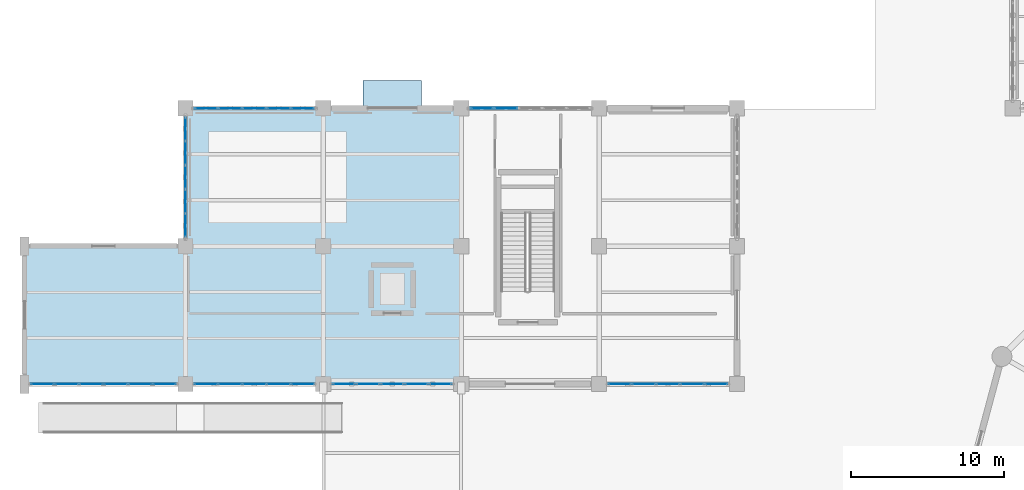
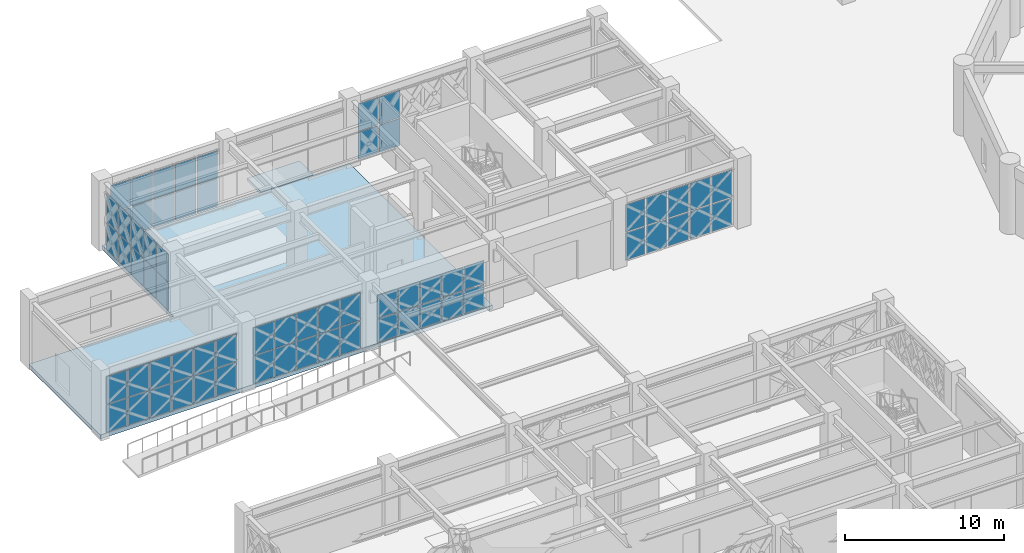
# One storey, part 106 of 140: 66 plates, 2 slabs, 7 elements without a shape of their own.
"""IFC4 building model written with IfcOpenShell, lengths in metres."""

from ifc_helpers import new_model, si_unit, direction, frame, origin, origin_2d, place, context, subcontext, project, spatial, polyline, rectangle, outline, extrude, material, layer, layer_set, type_object, element, aggregate, save


model = new_model("IFC4")

# Units and contexts
model_context = context("Model", 3, precision=1e-05, world=origin(), true_north=direction((0.0, 1.0)))
body_context = subcontext(model_context, "Body", "Model", "MODEL_VIEW")
ifc_project = project(units=[si_unit("LENGTHUNIT", "METRE"), si_unit("AREAUNIT", "SQUARE_METRE"), si_unit("VOLUMEUNIT", "CUBIC_METRE"), si_unit("PLANEANGLEUNIT", "RADIAN"), si_unit("MASSUNIT", "GRAM", prefix="KILO")], contexts=[model_context])

# Site, building, storey
site_placement = place(None, origin())
site = spatial("IfcSite", under=ifc_project, at=site_placement, CompositionType="ELEMENT")
building_placement = place(site_placement, origin())
building = spatial("IfcBuilding", under=site, at=building_placement, Name="Haizhuo Lancet Aquarium", CompositionType="ELEMENT")
storey_placement = place(building_placement, origin())
storey = spatial("IfcBuildingStorey", under=building, at=storey_placement, Name="L00", CompositionType="ELEMENT", Elevation=0.0)

# Curtain wall, plates
ifc_material_1 = material(Name="Aluminium 6063-T6", Category="aluminium")
curtain_wall_type_1 = type_object("IfcCurtainWallType", Name="CWD-7910x4420", PredefinedType="NOTDEFINED", material=ifc_material_1)
curtain_wall_1_placement = place(storey_placement, origin())
curtain_wall_1 = element("IfcCurtainWall", 1, at=curtain_wall_1_placement, inside=storey, type_object=curtain_wall_type_1, Name="L00 curtain wall CW-V2-L00-013", PredefinedType="NOTDEFINED")
ifc_material_2 = material(Name="Laminated Low-E Glass", Category="glass")
ifc_layer_1 = layer(ifc_material_2, 0.028076171875)
ifc_layer_set_1 = layer_set([ifc_layer_1], Name="Laminated Low-E Glass")
plate_type_1 = type_object("IfcPlateType", Name="CW-PNL-1", PredefinedType="CURTAIN_PANEL", material=ifc_layer_set_1)
plate_1_placement = place(storey_placement, frame((-72.0, 19.35205078125, 0.06494140625), z_axis=(0.0, 0.0, 1.0), x_axis=(0.0, 1.0, 0.0)))
plate_1 = element("IfcPlate", 2, at=plate_1_placement, type_object=plate_type_1, Name="CWD-79x44 panel 1.1", PredefinedType="CURTAIN_PANEL", context=body_context, shape_type="SweptSolid", body=[
    extrude(rectangle(XDim=1.48388671875, YDim=0.028076171875, at=origin_2d()), origin(), (0.0, 0.0, 1.0), 2.112060546875),
])
plate_2_placement = place(storey_placement, frame((-72.0, 19.35205078125, 2.24267578125), z_axis=(0.0, 0.0, 1.0), x_axis=(0.0, 1.0, 0.0)))
plate_2 = element("IfcPlate", 3, at=plate_2_placement, type_object=plate_type_1, Name="CWD-79x44 panel 1.2", PredefinedType="CURTAIN_PANEL", context=body_context, shape_type="SweptSolid", body=[
    extrude(rectangle(XDim=1.48388671875, YDim=0.028076171875, at=origin_2d()), origin(), (0.0, 0.0, 1.0), 2.113037109375),
])
plate_3_placement = place(storey_placement, frame((-72.0, 20.91796875, 0.06494140625), z_axis=(0.0, 0.0, 1.0), x_axis=(0.0, 1.0, 0.0)))
plate_3 = element("IfcPlate", 4, at=plate_3_placement, type_object=plate_type_1, Name="CWD-79x44 panel 2.1", PredefinedType="CURTAIN_PANEL", context=body_context, shape_type="SweptSolid", body=[
    extrude(rectangle(XDim=1.51708984375, YDim=0.028076171875, at=origin_2d()), origin(), (0.0, 0.0, 1.0), 2.112060546875),
])
plate_4_placement = place(storey_placement, frame((-72.0, 20.91796875, 2.24267578125), z_axis=(0.0, 0.0, 1.0), x_axis=(0.0, 1.0, 0.0)))
plate_4 = element("IfcPlate", 5, at=plate_4_placement, type_object=plate_type_1, Name="CWD-79x44 panel 2.2", PredefinedType="CURTAIN_PANEL", context=body_context, shape_type="SweptSolid", body=[
    extrude(rectangle(XDim=1.51708984375, YDim=0.028076171875, at=origin_2d()), origin(), (0.0, 0.0, 1.0), 2.113037109375),
])
plate_5_placement = place(storey_placement, frame((-72.0, 22.5, 0.06494140625), z_axis=(0.0, 0.0, 1.0), x_axis=(0.0, 1.0, 0.0)))
plate_5 = element("IfcPlate", 6, at=plate_5_placement, type_object=plate_type_1, Name="CWD-79x44 panel 3.1", PredefinedType="CURTAIN_PANEL", context=body_context, shape_type="SweptSolid", body=[
    extrude(rectangle(XDim=1.51708984375, YDim=0.028076171875, at=origin_2d()), origin(), (0.0, 0.0, 1.0), 2.112060546875),
])
plate_6_placement = place(storey_placement, frame((-72.0, 22.5, 2.24267578125), z_axis=(0.0, 0.0, 1.0), x_axis=(0.0, 1.0, 0.0)))
plate_6 = element("IfcPlate", 7, at=plate_6_placement, type_object=plate_type_1, Name="CWD-79x44 panel 3.2", PredefinedType="CURTAIN_PANEL", context=body_context, shape_type="SweptSolid", body=[
    extrude(rectangle(XDim=1.51708984375, YDim=0.028076171875, at=origin_2d()), origin(), (0.0, 0.0, 1.0), 2.113037109375),
])
plate_7_placement = place(storey_placement, frame((-72.0, 24.08203125, 0.06494140625), z_axis=(0.0, 0.0, 1.0), x_axis=(0.0, 1.0, 0.0)))
plate_7 = element("IfcPlate", 8, at=plate_7_placement, type_object=plate_type_1, Name="CWD-79x44 panel 4.1", PredefinedType="CURTAIN_PANEL", context=body_context, shape_type="SweptSolid", body=[
    extrude(rectangle(XDim=1.51708984375, YDim=0.028076171875, at=origin_2d()), origin(), (0.0, 0.0, 1.0), 2.112060546875),
])
plate_8_placement = place(storey_placement, frame((-72.0, 24.08203125, 2.24267578125), z_axis=(0.0, 0.0, 1.0), x_axis=(0.0, 1.0, 0.0)))
plate_8 = element("IfcPlate", 9, at=plate_8_placement, type_object=plate_type_1, Name="CWD-79x44 panel 4.2", PredefinedType="CURTAIN_PANEL", context=body_context, shape_type="SweptSolid", body=[
    extrude(rectangle(XDim=1.51708984375, YDim=0.028076171875, at=origin_2d()), origin(), (0.0, 0.0, 1.0), 2.113037109375),
])
plate_9_placement = place(storey_placement, frame((-72.0, 25.64794921875, 0.06494140625), z_axis=(0.0, 0.0, 1.0), x_axis=(0.0, 1.0, 0.0)))
plate_9 = element("IfcPlate", 10, at=plate_9_placement, type_object=plate_type_1, Name="CWD-79x44 panel 5.1", PredefinedType="CURTAIN_PANEL", context=body_context, shape_type="SweptSolid", body=[
    extrude(rectangle(XDim=1.48388671875, YDim=0.028076171875, at=origin_2d()), origin(), (0.0, 0.0, 1.0), 2.112060546875),
])
plate_10_placement = place(storey_placement, frame((-72.0, 25.64794921875, 2.24267578125), z_axis=(0.0, 0.0, 1.0), x_axis=(0.0, 1.0, 0.0)))
plate_10 = element("IfcPlate", 11, at=plate_10_placement, type_object=plate_type_1, Name="CWD-79x44 panel 5.2", PredefinedType="CURTAIN_PANEL", context=body_context, shape_type="SweptSolid", body=[
    extrude(rectangle(XDim=1.48388671875, YDim=0.028076171875, at=origin_2d()), origin(), (0.0, 0.0, 1.0), 2.113037109375),
])
aggregate(curtain_wall_1, [plate_1, plate_2, plate_3, plate_4, plate_5, plate_6, plate_7, plate_8, plate_9, plate_10])

curtain_wall_type_2 = type_object("IfcCurtainWallType", Name="CWO-7910x4420", PredefinedType="NOTDEFINED", material=ifc_material_1)
curtain_wall_2_placement = place(storey_placement, origin())
curtain_wall_2 = element("IfcCurtainWall", 12, at=curtain_wall_2_placement, inside=storey, type_object=curtain_wall_type_2, Name="L00 curtain wall CW-V2-L00-017", PredefinedType="NOTDEFINED")
plate_11_placement = place(storey_placement, frame((-37.35498046875, 9.0, 0.07568359375), z_axis=(0.0, 0.0, 1.0), x_axis=(-1.0, 0.0, 0.0)))
plate_11 = element("IfcPlate", 13, at=plate_11_placement, type_object=plate_type_1, Name="CWO-79x44 panel 1.1", PredefinedType="CURTAIN_PANEL", context=body_context, shape_type="SweptSolid", body=[
    extrude(rectangle(XDim=1.468994140625, YDim=0.028076171875, at=origin_2d()), origin(), (0.0, 0.0, 1.0), 2.096923828125),
])
plate_12_placement = place(storey_placement, frame((-37.35498046875, 9.0, 2.2470703125), z_axis=(0.0, 0.0, 1.0), x_axis=(-1.0, 0.0, 0.0)))
plate_12 = element("IfcPlate", 14, at=plate_12_placement, type_object=plate_type_1, Name="CWO-79x44 panel 1.2", PredefinedType="CURTAIN_PANEL", context=body_context, shape_type="SweptSolid", body=[
    extrude(rectangle(XDim=1.468994140625, YDim=0.028076171875, at=origin_2d()), origin(), (0.0, 0.0, 1.0), 2.097900390625),
])
plate_13_placement = place(storey_placement, frame((-38.91796875, 9.0, 0.07568359375), z_axis=(0.0, 0.0, 1.0), x_axis=(-1.0, 0.0, 0.0)))
plate_13 = element("IfcPlate", 15, at=plate_13_placement, type_object=plate_type_1, Name="CWO-79x44 panel 2.1", PredefinedType="CURTAIN_PANEL", context=body_context, shape_type="SweptSolid", body=[
    extrude(rectangle(XDim=1.507080078125, YDim=0.028076171875, at=origin_2d()), origin(), (0.0, 0.0, 1.0), 2.096923828125),
])
plate_14_placement = place(storey_placement, frame((-38.91796875, 9.0, 2.2470703125), z_axis=(0.0, 0.0, 1.0), x_axis=(-1.0, 0.0, 0.0)))
plate_14 = element("IfcPlate", 16, at=plate_14_placement, type_object=plate_type_1, Name="CWO-79x44 panel 2.2", PredefinedType="CURTAIN_PANEL", context=body_context, shape_type="SweptSolid", body=[
    extrude(rectangle(XDim=1.507080078125, YDim=0.028076171875, at=origin_2d()), origin(), (0.0, 0.0, 1.0), 2.097900390625),
])
plate_15_placement = place(storey_placement, frame((-40.5, 9.0, 0.07568359375), z_axis=(0.0, 0.0, 1.0), x_axis=(-1.0, 0.0, 0.0)))
plate_15 = element("IfcPlate", 17, at=plate_15_placement, type_object=plate_type_1, Name="CWO-79x44 panel 3.1", PredefinedType="CURTAIN_PANEL", context=body_context, shape_type="SweptSolid", body=[
    extrude(rectangle(XDim=1.507080078125, YDim=0.028076171875, at=origin_2d()), origin(), (0.0, 0.0, 1.0), 2.096923828125),
])
plate_16_placement = place(storey_placement, frame((-40.5, 9.0, 2.2470703125), z_axis=(0.0, 0.0, 1.0), x_axis=(-1.0, 0.0, 0.0)))
plate_16 = element("IfcPlate", 18, at=plate_16_placement, type_object=plate_type_1, Name="CWO-79x44 panel 3.2", PredefinedType="CURTAIN_PANEL", context=body_context, shape_type="SweptSolid", body=[
    extrude(rectangle(XDim=1.507080078125, YDim=0.028076171875, at=origin_2d()), origin(), (0.0, 0.0, 1.0), 2.097900390625),
])
plate_17_placement = place(storey_placement, frame((-42.08203125, 9.0, 0.07568359375), z_axis=(0.0, 0.0, 1.0), x_axis=(-1.0, 0.0, 0.0)))
plate_17 = element("IfcPlate", 19, at=plate_17_placement, type_object=plate_type_1, Name="CWO-79x44 panel 4.1", PredefinedType="CURTAIN_PANEL", context=body_context, shape_type="SweptSolid", body=[
    extrude(rectangle(XDim=1.507080078125, YDim=0.028076171875, at=origin_2d()), origin(), (0.0, 0.0, 1.0), 2.096923828125),
])
plate_18_placement = place(storey_placement, frame((-42.08203125, 9.0, 2.2470703125), z_axis=(0.0, 0.0, 1.0), x_axis=(-1.0, 0.0, 0.0)))
plate_18 = element("IfcPlate", 20, at=plate_18_placement, type_object=plate_type_1, Name="CWO-79x44 panel 4.2", PredefinedType="CURTAIN_PANEL", context=body_context, shape_type="SweptSolid", body=[
    extrude(rectangle(XDim=1.507080078125, YDim=0.028076171875, at=origin_2d()), origin(), (0.0, 0.0, 1.0), 2.097900390625),
])
plate_19_placement = place(storey_placement, frame((-43.64501953125, 9.0, 0.07568359375), z_axis=(0.0, 0.0, 1.0), x_axis=(-1.0, 0.0, 0.0)))
plate_19 = element("IfcPlate", 21, at=plate_19_placement, type_object=plate_type_1, Name="CWO-79x44 panel 5.1", PredefinedType="CURTAIN_PANEL", context=body_context, shape_type="SweptSolid", body=[
    extrude(rectangle(XDim=1.469970703125, YDim=0.028076171875, at=origin_2d()), origin(), (0.0, 0.0, 1.0), 2.096923828125),
])
plate_20_placement = place(storey_placement, frame((-43.64501953125, 9.0, 2.2470703125), z_axis=(0.0, 0.0, 1.0), x_axis=(-1.0, 0.0, 0.0)))
plate_20 = element("IfcPlate", 22, at=plate_20_placement, type_object=plate_type_1, Name="CWO-79x44 panel 5.2", PredefinedType="CURTAIN_PANEL", context=body_context, shape_type="SweptSolid", body=[
    extrude(rectangle(XDim=1.469970703125, YDim=0.028076171875, at=origin_2d()), origin(), (0.0, 0.0, 1.0), 2.097900390625),
])
aggregate(curtain_wall_2, [plate_11, plate_12, plate_13, plate_14, plate_15, plate_16, plate_17, plate_18, plate_19, plate_20])

curtain_wall_3_placement = place(storey_placement, origin())
curtain_wall_3 = element("IfcCurtainWall", 23, at=curtain_wall_3_placement, inside=storey, type_object=curtain_wall_type_1, Name="L00 curtain wall CW-V2-L00-014", PredefinedType="NOTDEFINED")
ifc_layer_2 = layer(ifc_material_2, 0.033935546875)
ifc_layer_set_2 = layer_set([ifc_layer_2], Name="Laminated Low-E Glass")
plate_type_2 = type_object("IfcPlateType", Name="CW-PNL-2", PredefinedType="CURTAIN_PANEL", material=ifc_layer_set_2)
plate_21_placement = place(storey_placement, frame((-70.64501953125, 27.0, 0.07568359375), z_axis=(0.0, 0.0, 1.0), x_axis=(1.0, 0.0, 0.0)))
plate_21 = element("IfcPlate", 24, at=plate_21_placement, type_object=plate_type_2, Name="CWD-79x44 panel 1.1", PredefinedType="CURTAIN_PANEL", context=body_context, shape_type="SweptSolid", body=[
    extrude(rectangle(XDim=1.468994140625, YDim=0.033935546875, at=origin_2d()), origin(), (0.0, 0.0, 1.0), 2.096923828125),
])
plate_22_placement = place(storey_placement, frame((-70.64501953125, 27.0, 2.2470703125), z_axis=(0.0, 0.0, 1.0), x_axis=(1.0, 0.0, 0.0)))
plate_22 = element("IfcPlate", 25, at=plate_22_placement, type_object=plate_type_2, Name="CWD-79x44 panel 1.2", PredefinedType="CURTAIN_PANEL", context=body_context, shape_type="SweptSolid", body=[
    extrude(rectangle(XDim=1.468994140625, YDim=0.033935546875, at=origin_2d()), origin(), (0.0, 0.0, 1.0), 2.097900390625),
])
plate_23_placement = place(storey_placement, frame((-69.08203125, 27.0, 0.07568359375), z_axis=(0.0, 0.0, 1.0), x_axis=(1.0, 0.0, 0.0)))
plate_23 = element("IfcPlate", 26, at=plate_23_placement, type_object=plate_type_2, Name="CWD-79x44 panel 2.1", PredefinedType="CURTAIN_PANEL", context=body_context, shape_type="SweptSolid", body=[
    extrude(rectangle(XDim=1.507080078125, YDim=0.033935546875, at=origin_2d()), origin(), (0.0, 0.0, 1.0), 2.096923828125),
])
plate_24_placement = place(storey_placement, frame((-69.08203125, 27.0, 2.2470703125), z_axis=(0.0, 0.0, 1.0), x_axis=(1.0, 0.0, 0.0)))
plate_24 = element("IfcPlate", 27, at=plate_24_placement, type_object=plate_type_2, Name="CWD-79x44 panel 2.2", PredefinedType="CURTAIN_PANEL", context=body_context, shape_type="SweptSolid", body=[
    extrude(rectangle(XDim=1.507080078125, YDim=0.033935546875, at=origin_2d()), origin(), (0.0, 0.0, 1.0), 2.097900390625),
])
plate_25_placement = place(storey_placement, frame((-67.5, 27.0, 0.07568359375), z_axis=(0.0, 0.0, 1.0), x_axis=(1.0, 0.0, 0.0)))
plate_25 = element("IfcPlate", 28, at=plate_25_placement, type_object=plate_type_2, Name="CWD-79x44 panel 3.1", PredefinedType="CURTAIN_PANEL", context=body_context, shape_type="SweptSolid", body=[
    extrude(rectangle(XDim=1.507080078125, YDim=0.033935546875, at=origin_2d()), origin(), (0.0, 0.0, 1.0), 2.096923828125),
])
plate_26_placement = place(storey_placement, frame((-67.5, 27.0, 2.2470703125), z_axis=(0.0, 0.0, 1.0), x_axis=(1.0, 0.0, 0.0)))
plate_26 = element("IfcPlate", 29, at=plate_26_placement, type_object=plate_type_2, Name="CWD-79x44 panel 3.2", PredefinedType="CURTAIN_PANEL", context=body_context, shape_type="SweptSolid", body=[
    extrude(rectangle(XDim=1.507080078125, YDim=0.033935546875, at=origin_2d()), origin(), (0.0, 0.0, 1.0), 2.097900390625),
])
plate_27_placement = place(storey_placement, frame((-65.91796875, 27.0, 0.07568359375), z_axis=(0.0, 0.0, 1.0), x_axis=(1.0, 0.0, 0.0)))
plate_27 = element("IfcPlate", 30, at=plate_27_placement, type_object=plate_type_2, Name="CWD-79x44 panel 4.1", PredefinedType="CURTAIN_PANEL", context=body_context, shape_type="SweptSolid", body=[
    extrude(rectangle(XDim=1.507080078125, YDim=0.033935546875, at=origin_2d()), origin(), (0.0, 0.0, 1.0), 2.096923828125),
])
plate_28_placement = place(storey_placement, frame((-65.91796875, 27.0, 2.2470703125), z_axis=(0.0, 0.0, 1.0), x_axis=(1.0, 0.0, 0.0)))
plate_28 = element("IfcPlate", 31, at=plate_28_placement, type_object=plate_type_2, Name="CWD-79x44 panel 4.2", PredefinedType="CURTAIN_PANEL", context=body_context, shape_type="SweptSolid", body=[
    extrude(rectangle(XDim=1.507080078125, YDim=0.033935546875, at=origin_2d()), origin(), (0.0, 0.0, 1.0), 2.097900390625),
])
plate_29_placement = place(storey_placement, frame((-64.35498046875, 27.0, 0.07568359375), z_axis=(0.0, 0.0, 1.0), x_axis=(1.0, 0.0, 0.0)))
plate_29 = element("IfcPlate", 32, at=plate_29_placement, type_object=plate_type_2, Name="CWD-79x44 panel 5.1", PredefinedType="CURTAIN_PANEL", context=body_context, shape_type="SweptSolid", body=[
    extrude(rectangle(XDim=1.469970703125, YDim=0.033935546875, at=origin_2d()), origin(), (0.0, 0.0, 1.0), 2.096923828125),
])
plate_30_placement = place(storey_placement, frame((-64.35498046875, 27.0, 2.2470703125), z_axis=(0.0, 0.0, 1.0), x_axis=(1.0, 0.0, 0.0)))
plate_30 = element("IfcPlate", 33, at=plate_30_placement, type_object=plate_type_2, Name="CWD-79x44 panel 5.2", PredefinedType="CURTAIN_PANEL", context=body_context, shape_type="SweptSolid", body=[
    extrude(rectangle(XDim=1.469970703125, YDim=0.033935546875, at=origin_2d()), origin(), (0.0, 0.0, 1.0), 2.097900390625),
])
aggregate(curtain_wall_3, [plate_21, plate_22, plate_23, plate_24, plate_25, plate_26, plate_27, plate_28, plate_29, plate_30])

curtain_wall_type_3 = type_object("IfcCurtainWallType", Name="CWO-7910x3770", PredefinedType="NOTDEFINED", material=ifc_material_1)
curtain_wall_4_placement = place(storey_placement, origin())
curtain_wall_4 = element("IfcCurtainWall", 34, at=curtain_wall_4_placement, inside=storey, type_object=curtain_wall_type_3, Name="L00 curtain wall CW-V2-L00-018", PredefinedType="NOTDEFINED")
plate_31_placement = place(storey_placement, frame((-55.35595703125, 9.0, 0.08056640625), z_axis=(0.0, 0.0, 1.0), x_axis=(-1.0, 0.0, 0.0)))
plate_31 = element("IfcPlate", 35, at=plate_31_placement, type_object=plate_type_2, Name="CWO-79x37 panel 1.1", PredefinedType="CURTAIN_PANEL", context=body_context, shape_type="SweptSolid", body=[
    extrude(rectangle(XDim=1.4619140625, YDim=0.033935546875, at=origin_2d()), origin(), (0.0, 0.0, 1.0), 1.764892578125),
])
plate_32_placement = place(storey_placement, frame((-55.35595703125, 9.0, 1.92578125), z_axis=(0.0, 0.0, 1.0), x_axis=(-1.0, 0.0, 0.0)))
plate_32 = element("IfcPlate", 36, at=plate_32_placement, type_object=plate_type_2, Name="CWO-79x37 panel 1.2", PredefinedType="CURTAIN_PANEL", context=body_context, shape_type="SweptSolid", body=[
    extrude(rectangle(XDim=1.4619140625, YDim=0.033935546875, at=origin_2d()), origin(), (0.0, 0.0, 1.0), 1.764892578125),
])
plate_33_placement = place(storey_placement, frame((-56.91796875, 9.0, 0.08056640625), z_axis=(0.0, 0.0, 1.0), x_axis=(-1.0, 0.0, 0.0)))
plate_33 = element("IfcPlate", 37, at=plate_33_placement, type_object=plate_type_2, Name="CWO-79x37 panel 2.1", PredefinedType="CURTAIN_PANEL", context=body_context, shape_type="SweptSolid", body=[
    extrude(rectangle(XDim=1.501953125, YDim=0.033935546875, at=origin_2d()), origin(), (0.0, 0.0, 1.0), 1.764892578125),
])
plate_34_placement = place(storey_placement, frame((-56.91796875, 9.0, 1.92578125), z_axis=(0.0, 0.0, 1.0), x_axis=(-1.0, 0.0, 0.0)))
plate_34 = element("IfcPlate", 38, at=plate_34_placement, type_object=plate_type_2, Name="CWO-79x37 panel 2.2", PredefinedType="CURTAIN_PANEL", context=body_context, shape_type="SweptSolid", body=[
    extrude(rectangle(XDim=1.501953125, YDim=0.033935546875, at=origin_2d()), origin(), (0.0, 0.0, 1.0), 1.764892578125),
])
plate_35_placement = place(storey_placement, frame((-58.5, 9.0, 0.08056640625), z_axis=(0.0, 0.0, 1.0), x_axis=(-1.0, 0.0, 0.0)))
plate_35 = element("IfcPlate", 39, at=plate_35_placement, type_object=plate_type_2, Name="CWO-79x37 panel 3.1", PredefinedType="CURTAIN_PANEL", context=body_context, shape_type="SweptSolid", body=[
    extrude(rectangle(XDim=1.501953125, YDim=0.033935546875, at=origin_2d()), origin(), (0.0, 0.0, 1.0), 1.764892578125),
])
plate_36_placement = place(storey_placement, frame((-58.5, 9.0, 1.92578125), z_axis=(0.0, 0.0, 1.0), x_axis=(-1.0, 0.0, 0.0)))
plate_36 = element("IfcPlate", 40, at=plate_36_placement, type_object=plate_type_2, Name="CWO-79x37 panel 3.2", PredefinedType="CURTAIN_PANEL", context=body_context, shape_type="SweptSolid", body=[
    extrude(rectangle(XDim=1.501953125, YDim=0.033935546875, at=origin_2d()), origin(), (0.0, 0.0, 1.0), 1.764892578125),
])
plate_37_placement = place(storey_placement, frame((-60.08203125, 9.0, 0.08056640625), z_axis=(0.0, 0.0, 1.0), x_axis=(-1.0, 0.0, 0.0)))
plate_37 = element("IfcPlate", 41, at=plate_37_placement, type_object=plate_type_2, Name="CWO-79x37 panel 4.1", PredefinedType="CURTAIN_PANEL", context=body_context, shape_type="SweptSolid", body=[
    extrude(rectangle(XDim=1.501953125, YDim=0.033935546875, at=origin_2d()), origin(), (0.0, 0.0, 1.0), 1.764892578125),
])
plate_38_placement = place(storey_placement, frame((-60.08203125, 9.0, 1.92578125), z_axis=(0.0, 0.0, 1.0), x_axis=(-1.0, 0.0, 0.0)))
plate_38 = element("IfcPlate", 42, at=plate_38_placement, type_object=plate_type_2, Name="CWO-79x37 panel 4.2", PredefinedType="CURTAIN_PANEL", context=body_context, shape_type="SweptSolid", body=[
    extrude(rectangle(XDim=1.501953125, YDim=0.033935546875, at=origin_2d()), origin(), (0.0, 0.0, 1.0), 1.764892578125),
])
plate_39_placement = place(storey_placement, frame((-61.64404296875, 9.0, 0.08056640625), z_axis=(0.0, 0.0, 1.0), x_axis=(-1.0, 0.0, 0.0)))
plate_39 = element("IfcPlate", 43, at=plate_39_placement, type_object=plate_type_2, Name="CWO-79x37 panel 5.1", PredefinedType="CURTAIN_PANEL", context=body_context, shape_type="SweptSolid", body=[
    extrude(rectangle(XDim=1.4619140625, YDim=0.033935546875, at=origin_2d()), origin(), (0.0, 0.0, 1.0), 1.764892578125),
])
plate_40_placement = place(storey_placement, frame((-61.64404296875, 9.0, 1.92578125), z_axis=(0.0, 0.0, 1.0), x_axis=(-1.0, 0.0, 0.0)))
plate_40 = element("IfcPlate", 44, at=plate_40_placement, type_object=plate_type_2, Name="CWO-79x37 panel 5.2", PredefinedType="CURTAIN_PANEL", context=body_context, shape_type="SweptSolid", body=[
    extrude(rectangle(XDim=1.4619140625, YDim=0.033935546875, at=origin_2d()), origin(), (0.0, 0.0, 1.0), 1.764892578125),
])
aggregate(curtain_wall_4, [plate_31, plate_32, plate_33, plate_34, plate_35, plate_36, plate_37, plate_38, plate_39, plate_40])

curtain_wall_5_placement = place(storey_placement, origin())
curtain_wall_5 = element("IfcCurtainWall", 45, at=curtain_wall_5_placement, inside=storey, type_object=curtain_wall_type_1, Name="L00 curtain wall CW-V2-L00-015", PredefinedType="NOTDEFINED")
ifc_layer_3 = layer(ifc_material_2, 0.0419921875)
ifc_layer_set_3 = layer_set([ifc_layer_3], Name="Laminated Low-E Glass")
plate_type_3 = type_object("IfcPlateType", Name="CW-PNL-3", PredefinedType="CURTAIN_PANEL", material=ifc_layer_set_3)
plate_41_placement = place(storey_placement, frame((-52.64404296875, 27.0, 0.080078125), z_axis=(0.0, 0.0, 1.0), x_axis=(1.0, 0.0, 0.0)))
plate_41 = element("IfcPlate", 46, at=plate_41_placement, type_object=plate_type_3, Name="CWD-79x44 panel 1.1", PredefinedType="CURTAIN_PANEL", context=body_context, shape_type="SweptSolid", body=[
    extrude(rectangle(XDim=1.4619140625, YDim=0.0419921875, at=origin_2d()), origin(), (0.0, 0.0, 1.0), 2.090087890625),
])
plate_42_placement = place(storey_placement, frame((-52.64404296875, 27.0, 2.25), z_axis=(0.0, 0.0, 1.0), x_axis=(1.0, 0.0, 0.0)))
plate_42 = element("IfcPlate", 47, at=plate_42_placement, type_object=plate_type_3, Name="CWD-79x44 panel 1.2", PredefinedType="CURTAIN_PANEL", context=body_context, shape_type="SweptSolid", body=[
    extrude(rectangle(XDim=1.4619140625, YDim=0.0419921875, at=origin_2d()), origin(), (0.0, 0.0, 1.0), 2.090087890625),
])
plate_43_placement = place(storey_placement, frame((-51.08203125, 27.0, 0.080078125), z_axis=(0.0, 0.0, 1.0), x_axis=(1.0, 0.0, 0.0)))
plate_43 = element("IfcPlate", 48, at=plate_43_placement, type_object=plate_type_3, Name="CWD-79x44 panel 2.1", PredefinedType="CURTAIN_PANEL", context=body_context, shape_type="SweptSolid", body=[
    extrude(rectangle(XDim=1.501953125, YDim=0.0419921875, at=origin_2d()), origin(), (0.0, 0.0, 1.0), 2.090087890625),
])
plate_44_placement = place(storey_placement, frame((-51.08203125, 27.0, 2.25), z_axis=(0.0, 0.0, 1.0), x_axis=(1.0, 0.0, 0.0)))
plate_44 = element("IfcPlate", 49, at=plate_44_placement, type_object=plate_type_3, Name="CWD-79x44 panel 2.2", PredefinedType="CURTAIN_PANEL", context=body_context, shape_type="SweptSolid", body=[
    extrude(rectangle(XDim=1.501953125, YDim=0.0419921875, at=origin_2d()), origin(), (0.0, 0.0, 1.0), 2.090087890625),
])
aggregate(curtain_wall_5, [plate_41, plate_42, plate_43, plate_44])

curtain_wall_6_placement = place(storey_placement, origin())
curtain_wall_6 = element("IfcCurtainWall", 50, at=curtain_wall_6_placement, inside=storey, type_object=curtain_wall_type_2, Name="L00 curtain wall CW-V2-L00-019", PredefinedType="NOTDEFINED")
plate_45_placement = place(storey_placement, frame((-64.35205078125, 9.0, 0.06494140625), z_axis=(0.0, 0.0, 1.0), x_axis=(-1.0, 0.0, 0.0)))
plate_45 = element("IfcPlate", 51, at=plate_45_placement, type_object=plate_type_3, Name="CWO-79x44 panel 1.1", PredefinedType="CURTAIN_PANEL", context=body_context, shape_type="SweptSolid", body=[
    extrude(rectangle(XDim=1.48388671875, YDim=0.0419921875, at=origin_2d()), origin(), (0.0, 0.0, 1.0), 2.112060546875),
])
plate_46_placement = place(storey_placement, frame((-64.35205078125, 9.0, 2.24267578125), z_axis=(0.0, 0.0, 1.0), x_axis=(-1.0, 0.0, 0.0)))
plate_46 = element("IfcPlate", 52, at=plate_46_placement, type_object=plate_type_3, Name="CWO-79x44 panel 1.2", PredefinedType="CURTAIN_PANEL", context=body_context, shape_type="SweptSolid", body=[
    extrude(rectangle(XDim=1.48388671875, YDim=0.0419921875, at=origin_2d()), origin(), (0.0, 0.0, 1.0), 2.113037109375),
])
plate_47_placement = place(storey_placement, frame((-65.91796875, 9.0, 0.06494140625), z_axis=(0.0, 0.0, 1.0), x_axis=(-1.0, 0.0, 0.0)))
plate_47 = element("IfcPlate", 53, at=plate_47_placement, type_object=plate_type_3, Name="CWO-79x44 panel 2.1", PredefinedType="CURTAIN_PANEL", context=body_context, shape_type="SweptSolid", body=[
    extrude(rectangle(XDim=1.51708984375, YDim=0.0419921875, at=origin_2d()), origin(), (0.0, 0.0, 1.0), 2.112060546875),
])
plate_48_placement = place(storey_placement, frame((-65.91796875, 9.0, 2.24267578125), z_axis=(0.0, 0.0, 1.0), x_axis=(-1.0, 0.0, 0.0)))
plate_48 = element("IfcPlate", 54, at=plate_48_placement, type_object=plate_type_3, Name="CWO-79x44 panel 2.2", PredefinedType="CURTAIN_PANEL", context=body_context, shape_type="SweptSolid", body=[
    extrude(rectangle(XDim=1.51708984375, YDim=0.0419921875, at=origin_2d()), origin(), (0.0, 0.0, 1.0), 2.113037109375),
])
plate_49_placement = place(storey_placement, frame((-67.5, 9.0, 0.06494140625), z_axis=(0.0, 0.0, 1.0), x_axis=(-1.0, 0.0, 0.0)))
plate_49 = element("IfcPlate", 55, at=plate_49_placement, type_object=plate_type_3, Name="CWO-79x44 panel 3.1", PredefinedType="CURTAIN_PANEL", context=body_context, shape_type="SweptSolid", body=[
    extrude(rectangle(XDim=1.51708984375, YDim=0.0419921875, at=origin_2d()), origin(), (0.0, 0.0, 1.0), 2.112060546875),
])
plate_50_placement = place(storey_placement, frame((-67.5, 9.0, 2.24267578125), z_axis=(0.0, 0.0, 1.0), x_axis=(-1.0, 0.0, 0.0)))
plate_50 = element("IfcPlate", 56, at=plate_50_placement, type_object=plate_type_3, Name="CWO-79x44 panel 3.2", PredefinedType="CURTAIN_PANEL", context=body_context, shape_type="SweptSolid", body=[
    extrude(rectangle(XDim=1.51708984375, YDim=0.0419921875, at=origin_2d()), origin(), (0.0, 0.0, 1.0), 2.113037109375),
])
plate_51_placement = place(storey_placement, frame((-69.08203125, 9.0, 0.06494140625), z_axis=(0.0, 0.0, 1.0), x_axis=(-1.0, 0.0, 0.0)))
plate_51 = element("IfcPlate", 57, at=plate_51_placement, type_object=plate_type_3, Name="CWO-79x44 panel 4.1", PredefinedType="CURTAIN_PANEL", context=body_context, shape_type="SweptSolid", body=[
    extrude(rectangle(XDim=1.51708984375, YDim=0.0419921875, at=origin_2d()), origin(), (0.0, 0.0, 1.0), 2.112060546875),
])
plate_52_placement = place(storey_placement, frame((-69.08203125, 9.0, 2.24267578125), z_axis=(0.0, 0.0, 1.0), x_axis=(-1.0, 0.0, 0.0)))
plate_52 = element("IfcPlate", 58, at=plate_52_placement, type_object=plate_type_3, Name="CWO-79x44 panel 4.2", PredefinedType="CURTAIN_PANEL", context=body_context, shape_type="SweptSolid", body=[
    extrude(rectangle(XDim=1.51708984375, YDim=0.0419921875, at=origin_2d()), origin(), (0.0, 0.0, 1.0), 2.113037109375),
])
plate_53_placement = place(storey_placement, frame((-70.64794921875, 9.0, 0.06494140625), z_axis=(0.0, 0.0, 1.0), x_axis=(-1.0, 0.0, 0.0)))
plate_53 = element("IfcPlate", 59, at=plate_53_placement, type_object=plate_type_3, Name="CWO-79x44 panel 5.1", PredefinedType="CURTAIN_PANEL", context=body_context, shape_type="SweptSolid", body=[
    extrude(rectangle(XDim=1.48388671875, YDim=0.0419921875, at=origin_2d()), origin(), (0.0, 0.0, 1.0), 2.112060546875),
])
plate_54_placement = place(storey_placement, frame((-70.64794921875, 9.0, 2.24267578125), z_axis=(0.0, 0.0, 1.0), x_axis=(-1.0, 0.0, 0.0)))
plate_54 = element("IfcPlate", 60, at=plate_54_placement, type_object=plate_type_3, Name="CWO-79x44 panel 5.2", PredefinedType="CURTAIN_PANEL", context=body_context, shape_type="SweptSolid", body=[
    extrude(rectangle(XDim=1.48388671875, YDim=0.0419921875, at=origin_2d()), origin(), (0.0, 0.0, 1.0), 2.113037109375),
])
aggregate(curtain_wall_6, [plate_45, plate_46, plate_47, plate_48, plate_49, plate_50, plate_51, plate_52, plate_53, plate_54])

curtain_wall_type_4 = type_object("IfcCurtainWallType", Name="CWO-9610x4420", PredefinedType="NOTDEFINED", material=ifc_material_1)
curtain_wall_7_placement = place(storey_placement, origin())
curtain_wall_7 = element("IfcCurtainWall", 61, at=curtain_wall_7_placement, inside=storey, type_object=curtain_wall_type_4, Name="L00 curtain wall CW-V2-L00-020", PredefinedType="NOTDEFINED")
ifc_layer_4 = layer(ifc_material_2, 0.052001953125)
ifc_layer_set_4 = layer_set([ifc_layer_4], Name="Laminated Low-E Glass")
plate_type_4 = type_object("IfcPlateType", Name="CW-PNL-4", PredefinedType="CURTAIN_PANEL", material=ifc_layer_set_4)
plate_55_placement = place(storey_placement, frame((-73.364990234375, 9.0, 0.07568359375), z_axis=(0.0, 0.0, 1.0), x_axis=(-1.0, 0.0, 0.0)))
plate_55 = element("IfcPlate", 62, at=plate_55_placement, type_object=plate_type_4, Name="CWO-96x44 panel 1.1", PredefinedType="CURTAIN_PANEL", context=body_context, shape_type="SweptSolid", body=[
    extrude(rectangle(XDim=1.489013671875, YDim=0.052001953125, at=origin_2d()), origin(), (0.0, 0.0, 1.0), 2.096923828125),
])
plate_56_placement = place(storey_placement, frame((-73.364990234375, 9.0, 2.2470703125), z_axis=(0.0, 0.0, 1.0), x_axis=(-1.0, 0.0, 0.0)))
plate_56 = element("IfcPlate", 63, at=plate_56_placement, type_object=plate_type_4, Name="CWO-96x44 panel 1.2", PredefinedType="CURTAIN_PANEL", context=body_context, shape_type="SweptSolid", body=[
    extrude(rectangle(XDim=1.489013671875, YDim=0.052001953125, at=origin_2d()), origin(), (0.0, 0.0, 1.0), 2.097900390625),
])
plate_57_placement = place(storey_placement, frame((-74.947998046875, 9.0, 0.07568359375), z_axis=(0.0, 0.0, 1.0), x_axis=(-1.0, 0.0, 0.0)))
plate_57 = element("IfcPlate", 64, at=plate_57_placement, type_object=plate_type_4, Name="CWO-96x44 panel 2.1", PredefinedType="CURTAIN_PANEL", context=body_context, shape_type="SweptSolid", body=[
    extrude(rectangle(XDim=1.527099609375, YDim=0.052001953125, at=origin_2d()), origin(), (0.0, 0.0, 1.0), 2.096923828125),
])
plate_58_placement = place(storey_placement, frame((-74.947998046875, 9.0, 2.2470703125), z_axis=(0.0, 0.0, 1.0), x_axis=(-1.0, 0.0, 0.0)))
plate_58 = element("IfcPlate", 65, at=plate_58_placement, type_object=plate_type_4, Name="CWO-96x44 panel 2.2", PredefinedType="CURTAIN_PANEL", context=body_context, shape_type="SweptSolid", body=[
    extrude(rectangle(XDim=1.527099609375, YDim=0.052001953125, at=origin_2d()), origin(), (0.0, 0.0, 1.0), 2.097900390625),
])
plate_59_placement = place(storey_placement, frame((-76.549072265625, 9.0, 0.07568359375), z_axis=(0.0, 0.0, 1.0), x_axis=(-1.0, 0.0, 0.0)))
plate_59 = element("IfcPlate", 66, at=plate_59_placement, type_object=plate_type_4, Name="CWO-96x44 panel 3.1", PredefinedType="CURTAIN_PANEL", context=body_context, shape_type="SweptSolid", body=[
    extrude(rectangle(XDim=1.527099609375, YDim=0.052001953125, at=origin_2d()), origin(), (0.0, 0.0, 1.0), 2.096923828125),
])
plate_60_placement = place(storey_placement, frame((-76.549072265625, 9.0, 2.2470703125), z_axis=(0.0, 0.0, 1.0), x_axis=(-1.0, 0.0, 0.0)))
plate_60 = element("IfcPlate", 67, at=plate_60_placement, type_object=plate_type_4, Name="CWO-96x44 panel 3.2", PredefinedType="CURTAIN_PANEL", context=body_context, shape_type="SweptSolid", body=[
    extrude(rectangle(XDim=1.527099609375, YDim=0.052001953125, at=origin_2d()), origin(), (0.0, 0.0, 1.0), 2.097900390625),
])
plate_61_placement = place(storey_placement, frame((-78.15087890625, 9.0, 0.07568359375), z_axis=(0.0, 0.0, 1.0), x_axis=(-1.0, 0.0, 0.0)))
plate_61 = element("IfcPlate", 68, at=plate_61_placement, type_object=plate_type_4, Name="CWO-96x44 panel 4.1", PredefinedType="CURTAIN_PANEL", context=body_context, shape_type="SweptSolid", body=[
    extrude(rectangle(XDim=1.527099609375, YDim=0.052001953125, at=origin_2d()), origin(), (0.0, 0.0, 1.0), 2.096923828125),
])
plate_62_placement = place(storey_placement, frame((-78.15087890625, 9.0, 2.2470703125), z_axis=(0.0, 0.0, 1.0), x_axis=(-1.0, 0.0, 0.0)))
plate_62 = element("IfcPlate", 69, at=plate_62_placement, type_object=plate_type_4, Name="CWO-96x44 panel 4.2", PredefinedType="CURTAIN_PANEL", context=body_context, shape_type="SweptSolid", body=[
    extrude(rectangle(XDim=1.527099609375, YDim=0.052001953125, at=origin_2d()), origin(), (0.0, 0.0, 1.0), 2.097900390625),
])
plate_63_placement = place(storey_placement, frame((-79.751953125, 9.0, 0.07568359375), z_axis=(0.0, 0.0, 1.0), x_axis=(-1.0, 0.0, 0.0)))
plate_63 = element("IfcPlate", 70, at=plate_63_placement, type_object=plate_type_4, Name="CWO-96x44 panel 5.1", PredefinedType="CURTAIN_PANEL", context=body_context, shape_type="SweptSolid", body=[
    extrude(rectangle(XDim=1.527099609375, YDim=0.052001953125, at=origin_2d()), origin(), (0.0, 0.0, 1.0), 2.096923828125),
])
plate_64_placement = place(storey_placement, frame((-79.751953125, 9.0, 2.2470703125), z_axis=(0.0, 0.0, 1.0), x_axis=(-1.0, 0.0, 0.0)))
plate_64 = element("IfcPlate", 71, at=plate_64_placement, type_object=plate_type_4, Name="CWO-96x44 panel 5.2", PredefinedType="CURTAIN_PANEL", context=body_context, shape_type="SweptSolid", body=[
    extrude(rectangle(XDim=1.527099609375, YDim=0.052001953125, at=origin_2d()), origin(), (0.0, 0.0, 1.0), 2.097900390625),
])
plate_65_placement = place(storey_placement, frame((-81.3349609375, 9.0, 0.07568359375), z_axis=(0.0, 0.0, 1.0), x_axis=(-1.0, 0.0, 0.0)))
plate_65 = element("IfcPlate", 72, at=plate_65_placement, type_object=plate_type_4, Name="CWO-96x44 panel 6.1", PredefinedType="CURTAIN_PANEL", context=body_context, shape_type="SweptSolid", body=[
    extrude(rectangle(XDim=1.489013671875, YDim=0.052001953125, at=origin_2d()), origin(), (0.0, 0.0, 1.0), 2.096923828125),
])
plate_66_placement = place(storey_placement, frame((-81.3349609375, 9.0, 2.2470703125), z_axis=(0.0, 0.0, 1.0), x_axis=(-1.0, 0.0, 0.0)))
plate_66 = element("IfcPlate", 73, at=plate_66_placement, type_object=plate_type_4, Name="CWO-96x44 panel 6.2", PredefinedType="CURTAIN_PANEL", context=body_context, shape_type="SweptSolid", body=[
    extrude(rectangle(XDim=1.489013671875, YDim=0.052001953125, at=origin_2d()), origin(), (0.0, 0.0, 1.0), 2.097900390625),
])
aggregate(curtain_wall_7, [plate_55, plate_56, plate_57, plate_58, plate_59, plate_60, plate_61, plate_62, plate_63, plate_64, plate_65, plate_66])

# Slabs
ifc_material_3 = material(Name="Concrete C40/50", Category="concrete")
ifc_layer_5 = layer(ifc_material_3, 0.300048828125)
ifc_layer_set_5 = layer_set([ifc_layer_5], Name="Concrete C40/50")
slab_type_1 = type_object("IfcSlabType", Name="SLB-PLINTH-300", PredefinedType="FLOOR", material=ifc_layer_set_5)
slab_1_placement = place(storey_placement, frame((0.0, 0.0, -0.300048828125)))
element("IfcSlab", 74, at=slab_1_placement, inside=storey, type_object=slab_type_1, Name="L00 structural slab SL-L00-V2-01", PredefinedType="FLOOR", context=body_context, shape_type="SweptSolid", body=[
    extrude(outline(polyline([(-54.0, 9.0), (-54.0, 27.0), (-72.0, 27.0), (-72.0, 18.0), (-82.5, 18.0), (-82.5, 9.0), (-54.0, 9.0)])), origin(), (0.0, 0.0, 1.0), 0.300048828125),
])
ifc_material_4 = material(Name="Shandong Grey Limestone Ashlar", Category="masonry")
slab_type_2 = type_object("IfcSlabType", Name="SLB-PV-200", PredefinedType="BASESLAB", material=ifc_material_4)
slab_2_placement = place(storey_placement, frame((0.0, 0.0, -0.199951171875)))
element("IfcSlab", 75, at=slab_2_placement, inside=storey, type_object=slab_type_2, material=ifc_material_4, Name="At-grade accessible entrance forecourt paving 1", PredefinedType="BASESLAB", context=body_context, shape_type="SweptSolid", body=[
    extrude(outline(polyline([(-60.39990234375, 28.800048828125), (-60.39990234375, 27.050048828125), (-56.60009765625, 27.050048828125), (-56.60009765625, 28.800048828125), (-60.39990234375, 28.800048828125)])), origin(), (0.0, 0.0, 1.0), 0.199951171875),
])

save(model, "model.ifc")
